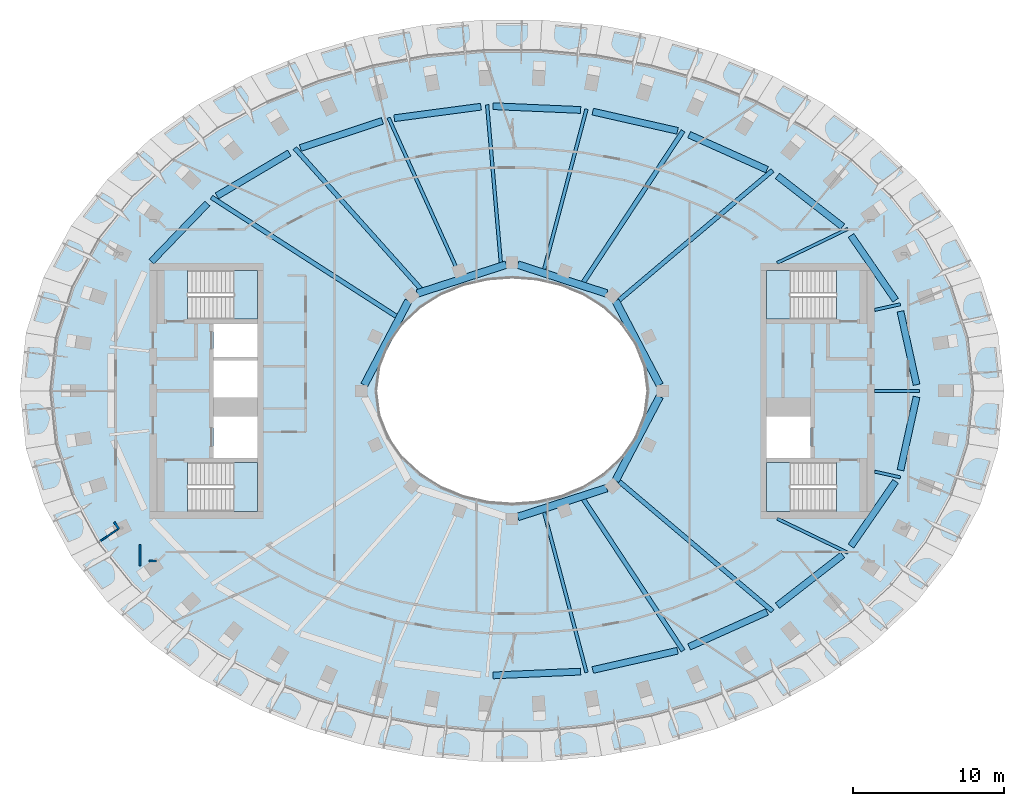
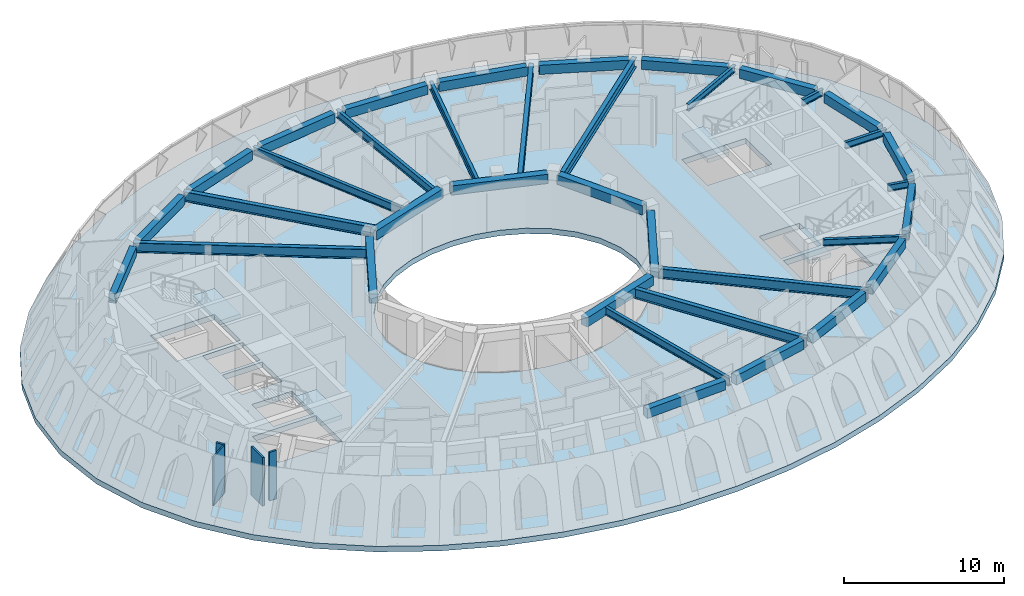
# One storey, part 2 of 13: 37 beams, 5 slabs, 4 walls, 4 elements without a shape of their own.
"""IFC4 building model written with IfcOpenShell, lengths in metres."""

from ifc_helpers import new_model, si_unit, direction, frame, frame_2d, origin, origin_2d, place, context, subcontext, project, spatial, polyline, rectangle, i_section, outline, extrude, material, layer, layer_set, material_profile, profile_set, type_object, element, aggregate, save


model = new_model("IFC4")

# Units and contexts
model_context = context("Model", 3, precision=1e-05, world=origin(), true_north=direction((0.0, 1.0)))
body_context = subcontext(model_context, "Body", "Model", "MODEL_VIEW")
ifc_project = project(units=[si_unit("LENGTHUNIT", "METRE"), si_unit("AREAUNIT", "SQUARE_METRE"), si_unit("VOLUMEUNIT", "CUBIC_METRE"), si_unit("PLANEANGLEUNIT", "RADIAN"), si_unit("MASSUNIT", "GRAM", prefix="KILO")], contexts=[model_context])

# Site, building, storey
site_placement = place(None, origin())
site = spatial("IfcSite", under=ifc_project, at=site_placement, CompositionType="ELEMENT")
building_placement = place(site_placement, origin())
building = spatial("IfcBuilding", under=site, at=building_placement, Name="Noorbagh Ring Tower", CompositionType="ELEMENT")
storey_placement = place(building_placement, frame((0.0, 0.0, 347.0)))
storey = spatial("IfcBuildingStorey", under=building, at=storey_placement, Name="L76", CompositionType="ELEMENT", Elevation=347.0)

# Beams
ifc_material_1 = material(Name="Steel S355", Category="steel")
ifc_material_profile_1 = material_profile(ifc_material_1, i_section(OverallWidth=0.199951171875, OverallDepth=0.5, WebThickness=0.01025390625, FlangeThickness=0.01611328125, FilletRadius=0.02099609375, at=origin_2d()), Name="IPE500")
ifc_profile_set_1 = profile_set([ifc_material_profile_1], Name="Steel S355")
beam_type_1 = type_object("IfcBeamType", Name="STR-RAD-IPE500", PredefinedType="BEAM", material=ifc_profile_set_1)
beam_1_placement = place(storey_placement, frame((27.050537109375, 0.0, 3.449951171875), z_axis=(-1.0, 0.0, 0.0), x_axis=(0.0, -1.0, 0.0)))
element("IfcBeam", 1, at=beam_1_placement, inside=storey, type_object=beam_type_1, Name="L76/bm/RD01", PredefinedType="BEAM", context=body_context, shape_type="SweptSolid", body=[
    extrude(i_section(OverallWidth=0.199951171875, OverallDepth=0.5, WebThickness=0.01025390625, FlangeThickness=0.01611328125, FilletRadius=0.02099609375, at=origin_2d()), origin(), (0.0, 0.0, 1.0), 2.970458984375),
])
beam_2_placement = place(storey_placement, frame((25.78173828125, 5.745849609375, 3.449951171875), z_axis=(-0.976051738342, -0.217538511717, 0.0), x_axis=(0.217538511717, -0.976051738342, 0.0)))
element("IfcBeam", 2, at=beam_2_placement, inside=storey, type_object=beam_type_1, Name="L76/bm/RD03", PredefinedType="BEAM", context=body_context, shape_type="SweptSolid", body=[
    extrude(i_section(OverallWidth=0.199951171875, OverallDepth=0.5, WebThickness=0.01025390625, FlangeThickness=0.01611328125, FilletRadius=0.02099609375, at=origin_2d()), origin(), (0.0, 0.0, 1.0), 1.742919921875),
])
for number, where, z_axis, x_axis, name in (
    (3, (22.302734375, 10.755126953125, 3.449951171875), (-0.900725480615, -0.434388775834, 0.0), (0.434388775834, -0.900725480615, 0.0), "L76/bm/RD05"),
    (4, (22.302734375, -10.755126953125, 3.449951171875), (-0.900725480615, 0.434388775834, 0.0), (-0.434388775834, -0.900725480615, 0.0), "L76/bm/RD43"),
):
    element("IfcBeam", number, at=place(storey_placement, frame(where, z_axis=z_axis, x_axis=x_axis)), inside=storey, type_object=beam_type_1, Name=name, PredefinedType="BEAM", context=body_context, shape_type="SweptSolid", body=[
        extrude(i_section(OverallWidth=0.199951171875, OverallDepth=0.5, WebThickness=0.01025390625, FlangeThickness=0.01611328125, FilletRadius=0.02099609375, at=origin_2d()), origin(), (0.0, 0.0, 1.0), 5.211669921875),
    ])
beam_3_placement = place(storey_placement, frame((25.78173828125, -5.745849609375, 3.449951171875), z_axis=(-0.976051738342, 0.217538511717, 0.0), x_axis=(-0.217538511717, -0.976051738342, 0.0)))
element("IfcBeam", 5, at=beam_3_placement, inside=storey, type_object=beam_type_1, Name="L76/bm/RD45", PredefinedType="BEAM", context=body_context, shape_type="SweptSolid", body=[
    extrude(i_section(OverallWidth=0.199951171875, OverallDepth=0.5, WebThickness=0.01025390625, FlangeThickness=0.01611328125, FilletRadius=0.02099609375, at=origin_2d()), origin(), (0.0, 0.0, 1.0), 1.742919921875),
])
ifc_material_2 = material(Name="Steel S355", Category="steel")
ifc_material_profile_2 = material_profile(ifc_material_2, i_section(OverallWidth=0.219970703125, OverallDepth=0.60009765625, WebThickness=0.011962890625, FlangeThickness=0.01904296875, FilletRadius=0.02392578125, at=origin_2d()), Name="IPE600")
ifc_profile_set_2 = profile_set([ifc_material_profile_2], Name="Steel S355")
beam_type_2 = type_object("IfcBeamType", Name="STR-RAD-IPE600", PredefinedType="BEAM", material=ifc_profile_set_2)
beam_4_placement = place(storey_placement, frame((4.945556640625, 18.69921875, 3.39990234375), z_axis=(-0.255690243866, -0.966758759563, 0.0), x_axis=(0.966758759563, -0.255690243866, 0.0)))
element("IfcBeam", 6, at=beam_4_placement, inside=storey, type_object=beam_type_2, Name="L76/bm/RD11", PredefinedType="BEAM", context=body_context, shape_type="SweptSolid", body=[
    extrude(i_section(OverallWidth=0.219970703125, OverallDepth=0.60009765625, WebThickness=0.011962890625, FlangeThickness=0.01904296875, FilletRadius=0.02392578125, at=origin_2d()), origin(), (0.0, 0.0, 1.0), 11.011962890625),
])
beam_5_placement = place(storey_placement, frame((-1.653564453125, 18.98681640625, 3.39990234375), z_axis=(0.086758781668, -0.996229347993, 0.0), x_axis=(0.996229347993, 0.086758781668, 0.0)))
element("IfcBeam", 7, at=beam_5_placement, inside=storey, type_object=beam_type_2, Name="L76/bm/RD13", PredefinedType="BEAM", context=body_context, shape_type="SweptSolid", body=[
    extrude(i_section(OverallWidth=0.219970703125, OverallDepth=0.60009765625, WebThickness=0.011962890625, FlangeThickness=0.01904296875, FilletRadius=0.02392578125, at=origin_2d()), origin(), (0.0, 0.0, 1.0), 10.521728515625),
])
beam_6_placement = place(storey_placement, frame((-8.19091796875, 18.121826171875, 3.39990234375), z_axis=(0.411880880362, -0.911237696977, 0.0), x_axis=(0.911237696977, 0.411880880362, 0.0)))
element("IfcBeam", 8, at=beam_6_placement, inside=storey, type_object=beam_type_2, Name="L76/bm/RD15", PredefinedType="BEAM", context=body_context, shape_type="SweptSolid", body=[
    extrude(i_section(OverallWidth=0.219970703125, OverallDepth=0.60009765625, WebThickness=0.011962890625, FlangeThickness=0.01904296875, FilletRadius=0.02392578125, at=origin_2d()), origin(), (0.0, 0.0, 1.0), 11.518310546875),
])
beam_7_placement = place(storey_placement, frame((4.945556640625, -18.69921875, 3.39990234375), z_axis=(-0.255690243866, 0.966758759563, 0.0), x_axis=(-0.966758759563, -0.255690243866, 0.0)))
element("IfcBeam", 9, at=beam_7_placement, inside=storey, type_object=beam_type_2, Name="L76/bm/RD37", PredefinedType="BEAM", context=body_context, shape_type="SweptSolid", body=[
    extrude(i_section(OverallWidth=0.219970703125, OverallDepth=0.60009765625, WebThickness=0.011962890625, FlangeThickness=0.01904296875, FilletRadius=0.02392578125, at=origin_2d()), origin(), (0.0, 0.0, 1.0), 11.011962890625),
])
ifc_material_3 = material(Name="Steel S355", Category="steel")
ifc_material_profile_3 = material_profile(ifc_material_3, i_section(OverallWidth=0.300048828125, OverallDepth=0.75, WebThickness=0.013916015625, FlangeThickness=0.02587890625, at=origin_2d()), Name="PG750x300x14x26")
ifc_profile_set_3 = profile_set([ifc_material_profile_3], Name="Steel S355")
beam_type_3 = type_object("IfcBeamType", Name="STR-RAD-PG750x300x14x26", PredefinedType="BEAM", material=ifc_profile_set_3)
beam_8_placement = place(storey_placement, frame((17.294921875, 14.630615234375, 3.324951171875), z_axis=(-0.76345847448, -0.645856917393, 0.0), x_axis=(0.645856917393, -0.76345847448, 0.0)))
element("IfcBeam", 10, at=beam_8_placement, inside=storey, type_object=beam_type_3, Name="L76/bm/RD07", PredefinedType="BEAM", context=body_context, shape_type="SweptSolid", body=[
    extrude(i_section(OverallWidth=0.300048828125, OverallDepth=0.75, WebThickness=0.013916015625, FlangeThickness=0.02587890625, at=origin_2d()), origin(), (0.0, 0.0, 1.0), 13.34033203125),
])
beam_9_placement = place(storey_placement, frame((11.355224609375, 17.250732421875, 3.324951171875), z_axis=(-0.549823050772, -0.835281157958, 0.0), x_axis=(0.835281157958, -0.549823050772, 0.0)))
element("IfcBeam", 11, at=beam_9_placement, inside=storey, type_object=beam_type_3, Name="L76/bm/RD09", PredefinedType="BEAM", context=body_context, shape_type="SweptSolid", body=[
    extrude(i_section(OverallWidth=0.300048828125, OverallDepth=0.75, WebThickness=0.013916015625, FlangeThickness=0.02587890625, at=origin_2d()), origin(), (0.0, 0.0, 1.0), 12.02587890625),
])
beam_10_placement = place(storey_placement, frame((-14.416259765625, 16.108154296875, 3.324951171875), z_axis=(0.666891741303, -0.74515461844, 0.0), x_axis=(0.74515461844, 0.666891741303, 0.0)))
element("IfcBeam", 12, at=beam_10_placement, inside=storey, type_object=beam_type_3, Name="L76/bm/RD17", PredefinedType="BEAM", context=body_context, shape_type="SweptSolid", body=[
    extrude(i_section(OverallWidth=0.300048828125, OverallDepth=0.75, WebThickness=0.013916015625, FlangeThickness=0.02587890625, at=origin_2d()), origin(), (0.0, 0.0, 1.0), 12.521728515625),
])
beam_11_placement = place(storey_placement, frame((-19.947509765625, 12.84521484375, 3.324951171875), z_axis=(0.840757122582, -0.541412468296, 0.0), x_axis=(0.541412468296, 0.840757122582, 0.0)))
element("IfcBeam", 13, at=beam_11_placement, inside=storey, type_object=beam_type_3, Name="L76/bm/RD19", PredefinedType="BEAM", context=body_context, shape_type="SweptSolid", body=[
    extrude(i_section(OverallWidth=0.300048828125, OverallDepth=0.75, WebThickness=0.013916015625, FlangeThickness=0.02587890625, at=origin_2d()), origin(), (0.0, 0.0, 1.0), 14.598876953125),
])
beam_12_placement = place(storey_placement, frame((11.355224609375, -17.250732421875, 3.324951171875), z_axis=(-0.549823050772, 0.835281157958, 0.0), x_axis=(-0.835281157958, -0.549823050772, 0.0)))
element("IfcBeam", 14, at=beam_12_placement, inside=storey, type_object=beam_type_3, Name="L76/bm/RD39", PredefinedType="BEAM", context=body_context, shape_type="SweptSolid", body=[
    extrude(i_section(OverallWidth=0.300048828125, OverallDepth=0.75, WebThickness=0.013916015625, FlangeThickness=0.02587890625, at=origin_2d()), origin(), (0.0, 0.0, 1.0), 12.02587890625),
])
beam_13_placement = place(storey_placement, frame((17.294921875, -14.630615234375, 3.324951171875), z_axis=(-0.76345847448, 0.645856917393, 0.0), x_axis=(-0.645856917393, -0.76345847448, 0.0)))
element("IfcBeam", 15, at=beam_13_placement, inside=storey, type_object=beam_type_3, Name="L76/bm/RD41", PredefinedType="BEAM", context=body_context, shape_type="SweptSolid", body=[
    extrude(i_section(OverallWidth=0.300048828125, OverallDepth=0.75, WebThickness=0.013916015625, FlangeThickness=0.02587890625, at=origin_2d()), origin(), (0.0, 0.0, 1.0), 13.34033203125),
])
ifc_material_4 = material(Name="Concrete C40/50", Category="concrete")
ifc_material_profile_4 = material_profile(ifc_material_4, rectangle(XDim=0.5, YDim=0.699951171875, at=origin_2d()), Name="RC500x700")
ifc_profile_set_4 = profile_set([ifc_material_profile_4], Name="Concrete C40/50")
beam_type_4 = type_object("IfcBeamType", Name="STR-RB-RC500x700-C40-50", PredefinedType="BEAM", material=ifc_profile_set_4)
beam_14_placement = place(storey_placement, frame((9.8076171875, 0.38232421875, 3.35009765625), z_axis=(-0.464943021964, 0.885340604698, 0.0), x_axis=(-0.885340604698, -0.464943021964, 0.0)))
element("IfcBeam", 16, at=beam_14_placement, inside=storey, type_object=beam_type_4, Name="L76/bm/RG01", PredefinedType="BEAM", context=body_context, shape_type="SweptSolid", body=[
    extrude(rectangle(XDim=0.5, YDim=0.699951171875, at=origin_2d()), origin(), (0.0, 0.0, 1.0), 6.313720703125),
])
for number, where, z_axis, x_axis, name in (
    (17, (6.286865234375, 6.462158203125, 3.35009765625), (-0.951150444931, 0.308727762126, 0.0), (-0.308727762126, -0.951150444931, 0.0), "L76/bm/RG03"),
    (18, (-0.380859375, 8.379150390625, 3.35009765625), (-0.951150444931, -0.308727762126, 0.0), (0.308727762126, -0.951150444931, 0.0), "L76/bm/RG05"),
):
    element("IfcBeam", number, at=place(storey_placement, frame(where, z_axis=z_axis, x_axis=x_axis)), inside=storey, type_object=beam_type_4, Name=name, PredefinedType="BEAM", context=body_context, shape_type="SweptSolid", body=[
        extrude(rectangle(XDim=0.5, YDim=0.699951171875, at=origin_2d()), origin(), (0.0, 0.0, 1.0), 6.209228515625),
    ])
beam_15_placement = place(storey_placement, frame((-6.8720703125, 5.97216796875, 3.35009765625), z_axis=(-0.464943021964, -0.885340604698, 0.0), x_axis=(0.885340604698, -0.464943021964, 0.0)))
element("IfcBeam", 19, at=beam_15_placement, inside=storey, type_object=beam_type_4, Name="L76/bm/RG07", PredefinedType="BEAM", context=body_context, shape_type="SweptSolid", body=[
    extrude(rectangle(XDim=0.5, YDim=0.699951171875, at=origin_2d()), origin(), (0.0, 0.0, 1.0), 6.313720703125),
])
beam_16_placement = place(storey_placement, frame((0.380859375, -8.379150390625, 3.35009765625), z_axis=(0.951150444931, 0.308727762126, 0.0), x_axis=(-0.308727762126, 0.951150444931, 0.0)))
element("IfcBeam", 20, at=beam_16_placement, inside=storey, type_object=beam_type_4, Name="L76/bm/RG13", PredefinedType="BEAM", context=body_context, shape_type="SweptSolid", body=[
    extrude(rectangle(XDim=0.5, YDim=0.699951171875, at=origin_2d()), origin(), (0.0, 0.0, 1.0), 6.209228515625),
])
beam_17_placement = place(storey_placement, frame((6.8720703125, -5.97216796875, 3.35009765625), z_axis=(0.464943021964, 0.885340604698, 0.0), x_axis=(-0.885340604698, 0.464943021964, 0.0)))
element("IfcBeam", 21, at=beam_17_placement, inside=storey, type_object=beam_type_4, Name="L76/bm/RG15", PredefinedType="BEAM", context=body_context, shape_type="SweptSolid", body=[
    extrude(rectangle(XDim=0.5, YDim=0.699951171875, at=origin_2d()), origin(), (0.0, 0.0, 1.0), 6.313720703125),
])
ifc_material_5 = material(Name="Concrete C40/50", Category="concrete")
ifc_material_profile_5 = material_profile(ifc_material_5, rectangle(XDim=0.449951171875, YDim=0.699951171875, at=origin_2d()), Name="RC450x700")
ifc_profile_set_5 = profile_set([ifc_material_profile_5], Name="Concrete C40/50")
beam_type_5 = type_object("IfcBeamType", Name="STR-SB-RC450x700-C40-50", PredefinedType="BEAM", material=ifc_profile_set_5)
beam_18_placement = place(storey_placement, frame((26.854736328125, 0.405517578125, 3.35009765625), z_axis=(-0.214107448558, 0.976810114849, 0.0), x_axis=(-0.976810114849, -0.214107448558, 0.0)))
element("IfcBeam", 22, at=beam_18_placement, inside=storey, type_object=beam_type_5, Name="L76/bm/SP01", PredefinedType="BEAM", context=body_context, shape_type="SweptSolid", body=[
    extrude(rectangle(XDim=0.449951171875, YDim=0.699951171875, at=origin_2d()), origin(), (0.0, 0.0, 1.0), 4.98291015625),
])
beam_19_placement = place(storey_placement, frame((25.46484375, 6.0166015625, 3.35009765625), z_axis=(-0.568002021454, 0.823027158497, 0.0), x_axis=(-0.823027158497, -0.568002021454, 0.0)))
element("IfcBeam", 23, at=beam_19_placement, inside=storey, type_object=beam_type_5, Name="L76/bm/SP03", PredefinedType="BEAM", context=body_context, shape_type="SweptSolid", body=[
    extrude(rectangle(XDim=0.449951171875, YDim=0.699951171875, at=origin_2d()), origin(), (0.0, 0.0, 1.0), 5.215576171875),
])
beam_20_placement = place(storey_placement, frame((21.946044921875, 10.8984375, 3.35009765625), z_axis=(-0.789340217526, 0.613956041582, 0.0), x_axis=(-0.613956041582, -0.789340217526, 0.0)))
element("IfcBeam", 24, at=beam_20_placement, inside=storey, type_object=beam_type_5, Name="L76/bm/SP05", PredefinedType="BEAM", context=body_context, shape_type="SweptSolid", body=[
    extrude(rectangle(XDim=0.449951171875, YDim=0.699951171875, at=origin_2d()), origin(), (0.0, 0.0, 1.0), 5.4775390625),
])
beam_21_placement = place(storey_placement, frame((16.927978515625, 14.67919921875, 3.35009765625), z_axis=(-0.912291219977, 0.409542097901, 0.0), x_axis=(-0.409542097901, -0.912291219977, 0.0)))
element("IfcBeam", 25, at=beam_21_placement, inside=storey, type_object=beam_type_5, Name="L76/bm/SP07", PredefinedType="BEAM", context=body_context, shape_type="SweptSolid", body=[
    extrude(rectangle(XDim=0.449951171875, YDim=0.699951171875, at=origin_2d()), origin(), (0.0, 0.0, 1.0), 5.66552734375),
])
beam_22_placement = place(storey_placement, frame((10.99072265625, 17.25634765625, 3.35009765625), z_axis=(-0.975236598435, 0.221164140569, 0.0), x_axis=(-0.221164140569, -0.975236598435, 0.0)))
element("IfcBeam", 26, at=beam_22_placement, inside=storey, type_object=beam_type_5, Name="L76/bm/SP09", PredefinedType="BEAM", context=body_context, shape_type="SweptSolid", body=[
    extrude(rectangle(XDim=0.449951171875, YDim=0.699951171875, at=origin_2d()), origin(), (0.0, 0.0, 1.0), 5.7734375),
])
beam_23_placement = place(storey_placement, frame((4.557373046875, 18.64111328125, 3.35009765625), z_axis=(-0.999046790252, 0.04365215788, 0.0), x_axis=(-0.04365215788, -0.999046790252, 0.0)))
element("IfcBeam", 27, at=beam_23_placement, inside=storey, type_object=beam_type_5, Name="L76/bm/SP11", PredefinedType="BEAM", context=body_context, shape_type="SweptSolid", body=[
    extrude(rectangle(XDim=0.449951171875, YDim=0.699951171875, at=origin_2d()), origin(), (0.0, 0.0, 1.0), 5.816650390625),
])
beam_24_placement = place(storey_placement, frame((-2.06298828125, 18.859375, 3.35009765625), z_axis=(-0.991301241928, -0.131612490864, 0.0), x_axis=(0.131612490864, -0.991301241928, 0.0)))
element("IfcBeam", 28, at=beam_24_placement, inside=storey, type_object=beam_type_5, Name="L76/bm/SP13", PredefinedType="BEAM", context=body_context, shape_type="SweptSolid", body=[
    extrude(rectangle(XDim=0.449951171875, YDim=0.699951171875, at=origin_2d()), origin(), (0.0, 0.0, 1.0), 5.802490234375),
])
beam_25_placement = place(storey_placement, frame((-8.6044921875, 17.914794921875, 3.35009765625), z_axis=(-0.949578668733, -0.313528869306, 0.0), x_axis=(0.313528869306, -0.949578668733, 0.0)))
element("IfcBeam", 29, at=beam_25_placement, inside=storey, type_object=beam_type_5, Name="L76/bm/SP15", PredefinedType="BEAM", context=body_context, shape_type="SweptSolid", body=[
    extrude(rectangle(XDim=0.449951171875, YDim=0.699951171875, at=origin_2d()), origin(), (0.0, 0.0, 1.0), 5.728759765625),
])
beam_26_placement = place(storey_placement, frame((-14.78173828125, 15.783203125, 3.35009765625), z_axis=(-0.860319947792, -0.509754438363, 0.0), x_axis=(0.509754438363, -0.860319947792, 0.0)))
element("IfcBeam", 30, at=beam_26_placement, inside=storey, type_object=beam_type_5, Name="L76/bm/SP17", PredefinedType="BEAM", context=body_context, shape_type="SweptSolid", body=[
    extrude(rectangle(XDim=0.449951171875, YDim=0.699951171875, at=origin_2d()), origin(), (0.0, 0.0, 1.0), 5.58251953125),
])
beam_27_placement = place(storey_placement, frame((-20.219970703125, 12.434326171875, 3.35009765625), z_axis=(-0.69389582091, -0.720075405582, 0.0), x_axis=(0.720075405582, -0.69389582091, 0.0)))
element("IfcBeam", 31, at=beam_27_placement, inside=storey, type_object=beam_type_5, Name="L76/bm/SP19", PredefinedType="BEAM", context=body_context, shape_type="SweptSolid", body=[
    extrude(rectangle(XDim=0.449951171875, YDim=0.699951171875, at=origin_2d()), origin(), (0.0, 0.0, 1.0), 5.352783203125),
])
beam_28_placement = place(storey_placement, frame((-1.253662109375, -18.89501953125, 3.35009765625), z_axis=(0.999046790252, 0.04365215788, 0.0), x_axis=(-0.04365215788, 0.999046790252, 0.0)))
element("IfcBeam", 32, at=beam_28_placement, inside=storey, type_object=beam_type_5, Name="L76/bm/SP35", PredefinedType="BEAM", context=body_context, shape_type="SweptSolid", body=[
    extrude(rectangle(XDim=0.449951171875, YDim=0.699951171875, at=origin_2d()), origin(), (0.0, 0.0, 1.0), 5.816650390625),
])
beam_29_placement = place(storey_placement, frame((5.3603515625, -18.533203125, 3.35009765625), z_axis=(0.975236598435, 0.221164140569, 0.0), x_axis=(-0.221164140569, 0.975236598435, 0.0)))
element("IfcBeam", 33, at=beam_29_placement, inside=storey, type_object=beam_type_5, Name="L76/bm/SP37", PredefinedType="BEAM", context=body_context, shape_type="SweptSolid", body=[
    extrude(rectangle(XDim=0.449951171875, YDim=0.699951171875, at=origin_2d()), origin(), (0.0, 0.0, 1.0), 5.7734375),
])
beam_30_placement = place(storey_placement, frame((11.75927734375, -16.99951171875, 3.35009765625), z_axis=(0.912291219977, 0.409542097901, 0.0), x_axis=(-0.409542097901, 0.912291219977, 0.0)))
element("IfcBeam", 34, at=beam_30_placement, inside=storey, type_object=beam_type_5, Name="L76/bm/SP39", PredefinedType="BEAM", context=body_context, shape_type="SweptSolid", body=[
    extrude(rectangle(XDim=0.449951171875, YDim=0.699951171875, at=origin_2d()), origin(), (0.0, 0.0, 1.0), 5.66552734375),
])
beam_31_placement = place(storey_placement, frame((17.622314453125, -14.261474609375, 3.35009765625), z_axis=(0.789340217526, 0.613956041582, 0.0), x_axis=(-0.613956041582, 0.789340217526, 0.0)))
element("IfcBeam", 35, at=beam_31_placement, inside=storey, type_object=beam_type_5, Name="L76/bm/SP41", PredefinedType="BEAM", context=body_context, shape_type="SweptSolid", body=[
    extrude(rectangle(XDim=0.449951171875, YDim=0.699951171875, at=origin_2d()), origin(), (0.0, 0.0, 1.0), 5.4775390625),
])
beam_32_placement = place(storey_placement, frame((22.50244140625, -10.30908203125, 3.35009765625), z_axis=(0.568002021454, 0.823027158497, 0.0), x_axis=(-0.823027158497, 0.568002021454, 0.0)))
element("IfcBeam", 36, at=beam_32_placement, inside=storey, type_object=beam_type_5, Name="L76/bm/SP43", PredefinedType="BEAM", context=body_context, shape_type="SweptSolid", body=[
    extrude(rectangle(XDim=0.449951171875, YDim=0.699951171875, at=origin_2d()), origin(), (0.0, 0.0, 1.0), 5.215576171875),
])
beam_33_placement = place(storey_placement, frame((25.787841796875, -5.27294921875, 3.35009765625), z_axis=(0.214107448558, 0.976810114849, 0.0), x_axis=(-0.976810114849, 0.214107448558, 0.0)))
element("IfcBeam", 37, at=beam_33_placement, inside=storey, type_object=beam_type_5, Name="L76/bm/SP45", PredefinedType="BEAM", context=body_context, shape_type="SweptSolid", body=[
    extrude(rectangle(XDim=0.449951171875, YDim=0.699951171875, at=origin_2d()), origin(), (0.0, 0.0, 1.0), 4.98291015625),
])

# Stair, slab
ifc_material_6 = material(Name="Concrete C40/50", Category="concrete")
stair_type = type_object("IfcStairType", Name="CORE-STAIR", PredefinedType="HALF_TURN_STAIR", material=ifc_material_6)
stair_1_placement = place(storey_placement, origin())
stair_1 = element("IfcStair", 38, at=stair_1_placement, inside=storey, type_object=stair_type, Name="L76 Exit stair ST1", PredefinedType="HALF_TURN_STAIR")
ifc_material_7 = material(Name="Concrete C40/50", Category="concrete")
ifc_layer_1 = layer(ifc_material_7, 0.300048828125)
ifc_layer_set_1 = layer_set([ifc_layer_1], Name="Concrete C40/50")
slab_type_1 = type_object("IfcSlabType", Name="CORE-STAIR-LANDING", PredefinedType="LANDING", material=ifc_layer_set_1)
slab_1_placement = place(storey_placement, frame((0.0, 0.0, 1.699951171875)))
slab_1 = element("IfcSlab", 39, at=slab_1_placement, type_object=slab_type_1, Name="ST1 landing 1", PredefinedType="LANDING", context=body_context, shape_type="SweptSolid", body=[
    extrude(outline(polyline([(-18.449951171875, 4.75), (-16.89990234375, 4.75), (-16.89990234375, 8.0), (-18.449951171875, 8.0), (-18.449951171875, 4.75)])), origin(), (0.0, 0.0, 1.0), 0.300048828125),
])
aggregate(stair_1, [slab_1])

stair_2_placement = place(storey_placement, origin())
stair_2 = element("IfcStair", 40, at=stair_2_placement, inside=storey, type_object=stair_type, Name="L76 Exit stair ST2", PredefinedType="HALF_TURN_STAIR")
slab_2_placement = place(storey_placement, frame((0.0, 0.0, 1.699951171875)))
slab_2 = element("IfcSlab", 41, at=slab_2_placement, type_object=slab_type_1, Name="ST2 landing 1", PredefinedType="LANDING", context=body_context, shape_type="SweptSolid", body=[
    extrude(outline(polyline([(-18.449951171875, -8.0), (-16.89990234375, -8.0), (-16.89990234375, -4.75), (-18.449951171875, -4.75), (-18.449951171875, -8.0)])), origin(), (0.0, 0.0, 1.0), 0.300048828125),
])
aggregate(stair_2, [slab_2])

stair_3_placement = place(storey_placement, origin())
stair_3 = element("IfcStair", 42, at=stair_3_placement, inside=storey, type_object=stair_type, Name="L76 Exit stair ST3", PredefinedType="HALF_TURN_STAIR")
slab_3_placement = place(storey_placement, frame((0.0, 0.0, 1.699951171875)))
slab_3 = element("IfcSlab", 43, at=slab_3_placement, type_object=slab_type_1, Name="ST3 landing 1", PredefinedType="LANDING", context=body_context, shape_type="SweptSolid", body=[
    extrude(outline(polyline([(18.449951171875, 8.0), (16.89990234375, 8.0), (16.89990234375, 4.75), (18.449951171875, 4.75), (18.449951171875, 8.0)])), origin(), (0.0, 0.0, 1.0), 0.300048828125),
])
aggregate(stair_3, [slab_3])

stair_4_placement = place(storey_placement, origin())
stair_4 = element("IfcStair", 44, at=stair_4_placement, inside=storey, type_object=stair_type, Name="L76 Exit stair ST4", PredefinedType="HALF_TURN_STAIR")
slab_4_placement = place(storey_placement, frame((0.0, 0.0, 1.699951171875)))
slab_4 = element("IfcSlab", 45, at=slab_4_placement, type_object=slab_type_1, Name="ST4 landing 1", PredefinedType="LANDING", context=body_context, shape_type="SweptSolid", body=[
    extrude(outline(polyline([(18.449951171875, -4.75), (16.89990234375, -4.75), (16.89990234375, -8.0), (18.449951171875, -8.0), (18.449951171875, -4.75)])), origin(), (0.0, 0.0, 1.0), 0.300048828125),
])
aggregate(stair_4, [slab_4])

# Slab
ifc_material_8 = material(Name="Concrete C40/50", Category="concrete")
ifc_layer_2 = layer(ifc_material_8, 0.419921875)
ifc_layer_set_2 = layer_set([ifc_layer_2], Name="Concrete C40/50")
slab_type_2 = type_object("IfcSlabType", Name="STR-FLOOR-DECK-420", PredefinedType="FLOOR", material=ifc_layer_set_2)
slab_5_placement = place(storey_placement, frame((0.0, 0.0, -0.419921875)))
element("IfcSlab", 46, at=slab_5_placement, inside=storey, type_object=slab_type_2, Name="L76/slab/1", PredefinedType="FLOOR", context=body_context, shape_type="SweptSolid", body=[
    extrude(outline(polyline([(32.66064453125, 0.0), (32.262451171875, 3.8388671875), (31.10107421875, 7.529296875), (29.26318359375, 10.95166015625), (26.861083984375, 14.028564453125), (24.00830078125, 16.71923828125), (20.80517578125, 19.009765625), (17.335693359375, 20.900146484375), (13.667724609375, 22.3974609375), (9.857421875, 23.510498046875), (5.951171875, 24.247802734375), (1.98974609375, 24.61474609375), (-1.98974609375, 24.61474609375), (-5.951171875, 24.247802734375), (-9.857421875, 23.510498046875), (-13.667724609375, 22.3974609375), (-17.335693359375, 20.900146484375), (-20.80517578125, 19.009765625), (-24.00830078125, 16.71923828125), (-26.861083984375, 14.028564453125), (-29.26318359375, 10.95166015625), (-31.10107421875, 7.529296875), (-32.262451171875, 3.8388671875), (-32.66064453125, 0.0), (-32.262451171875, -3.8388671875), (-31.10107421875, -7.529296875), (-29.26318359375, -10.95166015625), (-26.861083984375, -14.028564453125), (-24.00830078125, -16.71923828125), (-20.80517578125, -19.009765625), (-17.335693359375, -20.900146484375), (-13.667724609375, -22.3974609375), (-9.857421875, -23.510498046875), (-5.951171875, -24.247802734375), (-1.98974609375, -24.61474609375), (1.98974609375, -24.61474609375), (5.951171875, -24.247802734375), (9.857421875, -23.510498046875), (13.667724609375, -22.3974609375), (17.335693359375, -20.900146484375), (20.80517578125, -19.009765625), (24.00830078125, -16.71923828125), (26.861083984375, -14.028564453125), (29.26318359375, -10.95166015625), (31.10107421875, -7.529296875), (32.262451171875, -3.8388671875), (32.66064453125, 0.0)]), holes=[polyline([(21.529541015625, -4.75), (21.529541015625, -8.0), (16.89990234375, -8.0), (16.89990234375, -4.75), (21.529541015625, -4.75)]), polyline([(21.529541015625, 4.75), (16.89990234375, 4.75), (16.89990234375, 8.0), (21.529541015625, 8.0), (21.529541015625, 4.75)]), polyline([(16.89990234375, -4.449951171875), (16.89990234375, -1.699951171875), (19.800048828125, -1.699951171875), (19.800048828125, -4.449951171875), (16.89990234375, -4.449951171875)]), polyline([(6.071044921875, -5.53662109375), (4.697509765625, -6.3974609375), (3.196533203125, -7.010986328125), (1.6171875, -7.3779296875), (0.0, -7.5), (-1.6171875, -7.3779296875), (-3.196533203125, -7.010986328125), (-4.697509765625, -6.3974609375), (-6.071044921875, -5.53662109375), (-7.2587890625, -4.43408203125), (-8.1904296875, -3.10888671875), (-8.79150390625, -1.605224609375), (-9.0, 0.0), (-8.79150390625, 1.605224609375), (-8.1904296875, 3.10888671875), (-7.2587890625, 4.43408203125), (-6.071044921875, 5.53662109375), (-4.697509765625, 6.3974609375), (-3.196533203125, 7.010986328125), (-1.6171875, 7.3779296875), (0.0, 7.5), (1.6171875, 7.3779296875), (3.196533203125, 7.010986328125), (4.697509765625, 6.3974609375), (6.071044921875, 5.53662109375), (7.2587890625, 4.43408203125), (8.1904296875, 3.10888671875), (8.79150390625, 1.605224609375), (9.0, 0.0), (8.79150390625, -1.605224609375), (8.1904296875, -3.10888671875), (7.2587890625, -4.43408203125), (6.071044921875, -5.53662109375)]), polyline([(-21.529541015625, -8.0), (-21.529541015625, -4.75), (-16.89990234375, -4.75), (-16.89990234375, -8.0), (-21.529541015625, -8.0)]), polyline([(-21.529541015625, 8.0), (-16.89990234375, 8.0), (-16.89990234375, 4.75), (-21.529541015625, 4.75), (-21.529541015625, 8.0)]), polyline([(-16.89990234375, -1.699951171875), (-16.89990234375, -4.449951171875), (-19.800048828125, -4.449951171875), (-19.800048828125, -1.699951171875), (-16.89990234375, -1.699951171875)]), polyline([(-16.89990234375, 2.0), (-16.89990234375, -0.449951171875), (-19.800048828125, -0.449951171875), (-19.800048828125, 2.0), (-16.89990234375, 2.0)]), polyline([(-16.89990234375, 4.449951171875), (-16.89990234375, 2.25), (-19.800048828125, 2.25), (-19.800048828125, 4.449951171875), (-16.89990234375, 4.449951171875)])]), origin(), (0.0, 0.0, 1.0), 0.419921875),
])

# Walls
ifc_material_9 = material(Name="Gypsum board on steel studs", Category="steel")
ifc_layer_3 = layer(ifc_material_9, 0.14990234375)
ifc_layer_set_3 = layer_set([ifc_layer_3], Name="Gypsum board on steel studs")
wall_type_1 = type_object("IfcWallType", Name="CORRIDOR PARTITION 150 EI 30", PredefinedType="PARTITIONING", material=ifc_layer_set_3)
wall_1_placement = place(storey_placement, frame((-26.408935546875, -8.7099609375, 0.0), z_axis=(0.0, 0.0, 1.0), x_axis=(0.555907960912, -0.8312438505, 0.0)))
element("IfcWall", 47, at=wall_1_placement, inside=storey, type_object=wall_type_1, Name="L76/wall/P04", PredefinedType="PARTITIONING", context=body_context, shape_type="SweptSolid", body=[
    extrude(rectangle(XDim=0.5595703125, YDim=0.14990234375, at=frame_2d((0.27978515625, 0.0))), origin(), (0.0, 0.0, 1.0), 3.699951171875),
])
wall_2_placement = place(storey_placement, frame((-24.699951171875, -11.635986328125, 0.0), z_axis=(0.0, 0.0, 1.0), x_axis=(0.0, 1.0, 0.0)))
element("IfcWall", 48, at=wall_2_placement, inside=storey, type_object=wall_type_1, Name="L76/wall/P09", PredefinedType="PARTITIONING", context=body_context, shape_type="SweptSolid", body=[
    extrude(rectangle(XDim=1.428955078125, YDim=0.14990234375, at=frame_2d((0.71435546875, 0.0))), origin(), (0.0, 0.0, 1.0), 3.699951171875),
])
wall_3_placement = place(storey_placement, frame((-24.10009765625, -11.300048828125, 0.0), z_axis=(0.0, 0.0, 1.0), x_axis=(1.0, 0.0, 0.0)))
element("IfcWall", 49, at=wall_3_placement, inside=storey, type_object=wall_type_1, Name="L76/wall/P11", PredefinedType="PARTITIONING", context=body_context, shape_type="SweptSolid", body=[
    extrude(rectangle(XDim=0.4931640625, YDim=0.14990234375, at=frame_2d((0.24658203125, 0.0))), origin(), (0.0, 0.0, 1.0), 3.699951171875),
])
ifc_material_10 = material(Name="Gypsum board on steel studs", Category="steel")
ifc_layer_4 = layer(ifc_material_10, 0.10009765625)
ifc_layer_set_4 = layer_set([ifc_layer_4], Name="Gypsum board on steel studs")
wall_type_2 = type_object("IfcWallType", Name="PARTITION 100 GYPSUM", PredefinedType="PARTITIONING", material=ifc_layer_set_4)
wall_4_placement = place(storey_placement, frame((-27.412109375, -10.027099609375, 0.0), z_axis=(0.0, 0.0, 1.0), x_axis=(0.832245757536, 0.554406889445, 0.0)))
element("IfcWall", 50, at=wall_4_placement, inside=storey, type_object=wall_type_2, Name="L76/wall/P02", PredefinedType="PARTITIONING", context=body_context, shape_type="SweptSolid", body=[
    extrude(rectangle(XDim=1.536865234375, YDim=0.10009765625, at=frame_2d((0.7685546875, 0.0))), origin(), (0.0, 0.0, 1.0), 3.699951171875),
])

save(model, "model.ifc")
